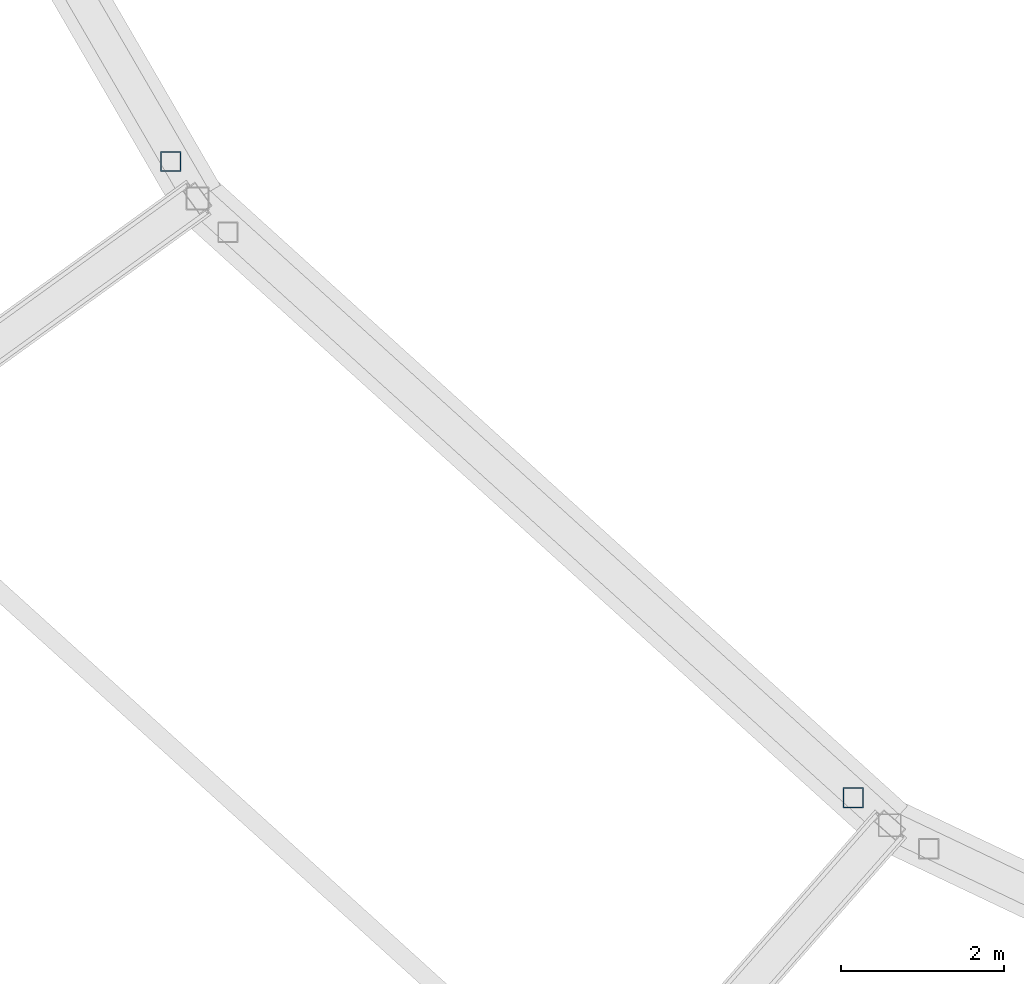
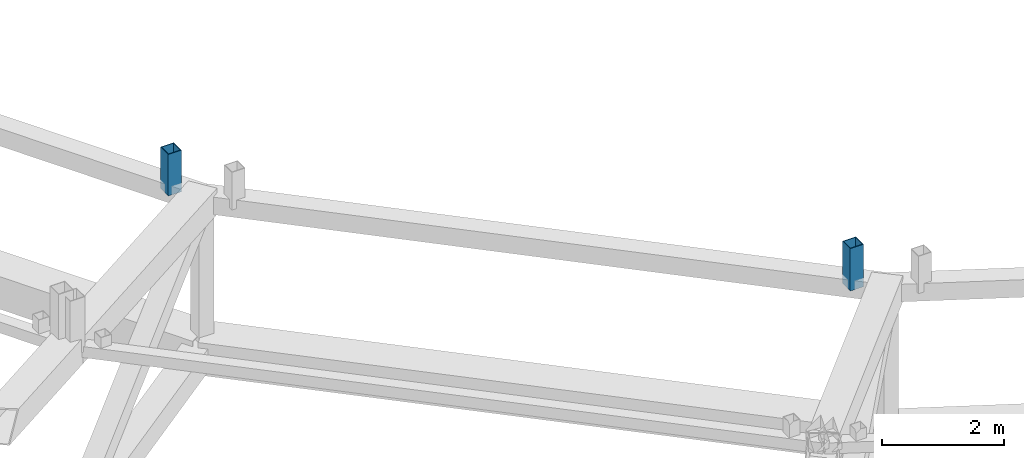
# One storey, part 96 of 162: 2 members.
"""IFC4 building model written with IfcOpenShell, lengths in metres."""

import ifcopenshell
import ifcopenshell.guid

model = None  # the IFC model being written
_history = None  # IfcOwnerHistory: only IFC2X3 demands one
_inside = {}  # id of a spatial element -> (the spatial element, [elements in it])
_under = {}  # id of a project, library or spatial element -> (it, [spatial elements below it])
_declared = {}  # id of a project -> (the project, [libraries it declares])
_typed = {}  # id of a type object -> (the type object, [elements of that type])
_made_of = {}  # id of a material, layer set ... -> (it, [elements and type objects made of it])


def new_model(schema):
    """Start an empty IFC model of exactly this schema.

    Asked for "IFC4X3", IfcOpenShell would pick the latest addendum, in which some entities
    have other attributes; the version numbers below select the first issue.
    IFC2X3 requires an IfcOwnerHistory on every rooted entity: one is made here for all.
    """
    global model, _history
    if schema == "IFC4X3":
        model = ifcopenshell.file(schema_version=(4, 3, 0, 0))
    else:
        model = ifcopenshell.file(schema=schema)
    _inside.clear()
    _under.clear()
    _declared.clear()
    _typed.clear()
    _made_of.clear()
    _history = None
    if model.schema == "IFC2X3":
        org = make("IfcOrganization", Name="unknown")
        user = make(
            "IfcPersonAndOrganization",
            ThePerson=make("IfcPerson", FamilyName="unknown"),
            TheOrganization=org,
        )
        app = make(
            "IfcApplication",
            ApplicationDeveloper=org,
            Version="unknown",
            ApplicationFullName="unknown",
            ApplicationIdentifier="unknown",
        )
        _history = make(
            "IfcOwnerHistory",
            OwningUser=user,
            OwningApplication=app,
            ChangeAction="ADDED",
            CreationDate=0,
        )
    return model


def make(cls, **values):
    """One entity of the class cls with the attributes given. An attribute that is None is left unset."""
    return model.create_entity(
        cls, **{name: value for name, value in values.items() if value is not None}
    )


def rooted(cls, **values):
    """An entity with a GlobalId (a new one), such as an element, a storey or a relation."""
    return make(cls, GlobalId=ifcopenshell.guid.new(), OwnerHistory=_history, **values)


def si_unit(unit_type, name, prefix=None):
    """IfcSIUnit, for example si_unit("LENGTHUNIT", "METRE", prefix="MILLI")."""
    return make("IfcSIUnit", UnitType=unit_type, Prefix=prefix, Name=name)


def assignment(units):
    """IfcUnitAssignment: the units of a project."""
    return None if units is None else make("IfcUnitAssignment", Units=units)


def point(xyz):
    """IfcCartesianPoint."""
    return None if xyz is None else make("IfcCartesianPoint", Coordinates=xyz)


def direction(xyz):
    """IfcDirection."""
    return None if xyz is None else make("IfcDirection", DirectionRatios=xyz)


def frame(location, z_axis=None, x_axis=None):
    """IfcAxis2Placement3D, a coordinate frame: its origin and axes. An axis left out is left unset."""
    return make(
        "IfcAxis2Placement3D",
        Location=point(location),
        Axis=direction(z_axis),
        RefDirection=direction(x_axis),
    )


def frame_2d(location, x_axis=None):
    """IfcAxis2Placement2D, a coordinate frame in the plane: its origin and x axis."""
    return make(
        "IfcAxis2Placement2D", Location=point(location), RefDirection=direction(x_axis)
    )


def origin():
    """The frame at (0, 0, 0) with its axes left unset."""
    return frame((0.0, 0.0, 0.0))


def origin_2d():
    """The frame at (0, 0) in the plane with its x axis left unset."""
    return frame_2d((0.0, 0.0))


def place(relative_to, where):
    """IfcLocalPlacement: puts the frame where relative to a parent placement (None: the world)."""
    return make(
        "IfcLocalPlacement", PlacementRelTo=relative_to, RelativePlacement=where
    )


def context(
    kind, dimensions, precision=None, world=None, true_north=None, identifier=None
):
    """IfcGeometricRepresentationContext, for example the 3D "Model" context."""
    return make(
        "IfcGeometricRepresentationContext",
        ContextIdentifier=identifier,
        ContextType=kind,
        CoordinateSpaceDimension=dimensions,
        Precision=precision,
        WorldCoordinateSystem=world,
        TrueNorth=true_north,
    )


def subcontext(parent, identifier, kind, view, scale=None):
    """IfcGeometricRepresentationSubContext, for example "Body" below "Model"."""
    return make(
        "IfcGeometricRepresentationSubContext",
        ContextIdentifier=identifier,
        ContextType=kind,
        ParentContext=parent,
        TargetScale=scale,
        TargetView=view,
    )


def project(units=None, contexts=None):
    """IfcProject with its units and contexts."""
    return rooted(
        "IfcProject",
        Name="project",
        RepresentationContexts=contexts,
        UnitsInContext=assignment(units),
    )


def spatial(cls, under=None, at=None, **own):
    """A site, building, storey or space (cls), placed at a placement, below another one or the project."""
    s = rooted(cls, ObjectPlacement=at, **own)
    if under is not None:
        _under.setdefault(under.id(), (under, []))[1].append(s)
    return s


def profile(cls, at=None, kind="AREA", **sizes):
    """A parametric profile (cls). Its sizes go by their IFC names, for example OverallWidth=200.0."""
    return make(cls, ProfileType=kind, Position=at, **sizes)


def hollow_rectangle(**sizes):
    """IfcRectangleHollowProfileDef."""
    return profile("IfcRectangleHollowProfileDef", **sizes)


def extrude(swept, where, along, depth):
    """IfcExtrudedAreaSolid: the profile swept, set in the frame where, extruded along a direction by depth."""
    return make(
        "IfcExtrudedAreaSolid",
        SweptArea=swept,
        Position=where,
        ExtrudedDirection=direction(along),
        Depth=depth,
    )


def shape(context_of_items, identifier, shape_type, items):
    """IfcShapeRepresentation: the items that make up one representation, for example the "Body"."""
    return make(
        "IfcShapeRepresentation",
        ContextOfItems=context_of_items,
        RepresentationIdentifier=identifier,
        RepresentationType=shape_type,
        Items=items,
    )


def material(Name=None, Category=None):
    """IfcMaterial."""
    return make("IfcMaterial", Name=Name, Category=Category)


def material_profile(
    of_material, cross_section, Name=None, Category=None, Priority=None
):
    """IfcMaterialProfile: a cross section and its material."""
    return make(
        "IfcMaterialProfile",
        Name=Name,
        Material=of_material,
        Profile=cross_section,
        Priority=Priority,
        Category=Category,
    )


def profile_set(profiles, Name=None, composite=None):
    """IfcMaterialProfileSet."""
    return make(
        "IfcMaterialProfileSet",
        Name=Name,
        MaterialProfiles=profiles,
        CompositeProfile=composite,
    )


def made_of(thing, what):
    """Note that an element or type object is made of a material, layer set ...; save() writes the relation."""
    if what is not None:
        _made_of.setdefault(what.id(), (what, []))[1].append(thing)
    return thing


def type_object(cls, material=None, **own):
    """A type object (cls), such as IfcWallType, which elements share."""
    return made_of(rooted(cls, **own), material)


def element(
    cls,
    number,
    at=None,
    inside=None,
    cuts=None,
    type_object=None,
    material=None,
    context=None,
    identifier="Body",
    shape_type=None,
    held_by="IfcProductDefinitionShape",
    body=None,
    shapes=None,
    **own,
):
    """One element of the class cls, such as IfcWall. Its Tag is "e" and its number.

    at: its placement. inside: the storey or other place that contains it. cuts: it is an
    opening in that element (IfcRelVoidsElement). A single representation is given by context,
    identifier, shape_type and body (its items); several are given by shapes. held_by: the class
    of the entity that holds the representations. save() writes the other relations.
    """
    e = rooted(cls, Tag="e%d" % number, ObjectPlacement=at, **own)
    if body is not None:
        shapes = [shape(context, identifier, shape_type, body)]
    if shapes is not None:
        e.Representation = make(held_by, Representations=shapes)
    if inside is not None:
        _inside.setdefault(inside.id(), (inside, []))[1].append(e)
    if cuts is not None:
        rooted(
            "IfcRelVoidsElement", RelatingBuildingElement=cuts, RelatedOpeningElement=e
        )
    if type_object is not None:
        _typed.setdefault(type_object.id(), (type_object, []))[1].append(e)
    return made_of(e, material)


def aggregate(whole, parts):
    """IfcRelAggregates: a whole, such as a stair, and the parts it consists of."""
    return rooted("IfcRelAggregates", RelatingObject=whole, RelatedObjects=parts)


def save(model, path):
    """Write the relations noted so far, then the file.

    IfcRelAggregates (storeys below a building ...), IfcRelContainedInSpatialStructure (elements
    in a storey), IfcRelDefinesByType, IfcRelAssociatesMaterial and IfcRelDeclares: one each for
    every whole, place, type object, material and project.
    """
    for whole, parts in _under.values():
        aggregate(whole, parts)
    for where, things in _inside.values():
        rooted(
            "IfcRelContainedInSpatialStructure",
            RelatedElements=things,
            RelatingStructure=where,
        )
    for kind, things in _typed.values():
        rooted("IfcRelDefinesByType", RelatedObjects=things, RelatingType=kind)
    for what, things in _made_of.values():
        rooted("IfcRelAssociatesMaterial", RelatedObjects=things, RelatingMaterial=what)
    for by, libraries in _declared.values():
        rooted("IfcRelDeclares", RelatingContext=by, RelatedDefinitions=libraries)
    model.write(path)


model = new_model("IFC4")

# Units and contexts
model_context = context("Model", 3, precision=1e-05, world=origin(), true_north=direction((0.0, 1.0)))
body_context = subcontext(model_context, "Body", "Model", "MODEL_VIEW")
ifc_project = project(units=[si_unit("LENGTHUNIT", "METRE"), si_unit("AREAUNIT", "SQUARE_METRE"), si_unit("VOLUMEUNIT", "CUBIC_METRE"), si_unit("PLANEANGLEUNIT", "RADIAN"), si_unit("MASSUNIT", "GRAM", prefix="KILO")], contexts=[model_context])

# Site, building, storey
site_placement = place(None, origin())
site = spatial("IfcSite", under=ifc_project, at=site_placement, CompositionType="ELEMENT")
building_placement = place(site_placement, origin())
building = spatial("IfcBuilding", under=site, at=building_placement, Name="Kazemori Nagisa Stadium", CompositionType="ELEMENT")
storey_placement = place(building_placement, frame((0.0, 0.0, 36.719970703125)))
storey = spatial("IfcBuildingStorey", under=building, at=storey_placement, Name="RF", CompositionType="ELEMENT", Elevation=36.719970703125)

# Members
ifc_material = material(Name="Steel STKR490", Category="steel")
ifc_material_profile = material_profile(ifc_material, hollow_rectangle(XDim=0.25, YDim=0.25, WallThickness=0.011962890625, at=origin_2d()), Name="SHS-250x250x12")
ifc_profile_set = profile_set([ifc_material_profile], Name="Steel STKR490")
member_type = type_object("IfcMemberType", Name="Member_ST-SHS250", PredefinedType="STUD", material=ifc_profile_set)
member_1_placement = place(storey_placement, frame((80.677978515625, 72.136474609375, 5.448974609375), z_axis=(0.0, 0.0, 1.0), x_axis=(1.0, 0.0, 0.0)))
element("IfcMember", 1, at=member_1_placement, inside=storey, type_object=member_type, Name="Oculus skylight bearing stool B17-2", PredefinedType="STUD", context=body_context, shape_type="SweptSolid", body=[
    extrude(hollow_rectangle(XDim=0.25, YDim=0.25, WallThickness=0.011962890625, at=origin_2d()), origin(), (0.0, 0.0, 1.0), 0.83203125),
])
member_2_placement = place(storey_placement, frame((89.061767578125, 64.320556640625, 5.35400390625), z_axis=(0.0, 0.0, 1.0), x_axis=(1.0, 0.0, 0.0)))
element("IfcMember", 2, at=member_2_placement, inside=storey, type_object=member_type, Name="Oculus skylight bearing stool B18-2", PredefinedType="STUD", context=body_context, shape_type="SweptSolid", body=[
    extrude(hollow_rectangle(XDim=0.25, YDim=0.25, WallThickness=0.011962890625, at=origin_2d()), origin(), (0.0, 0.0, 1.0), 0.84912109375),
])

save(model, "model.ifc")
